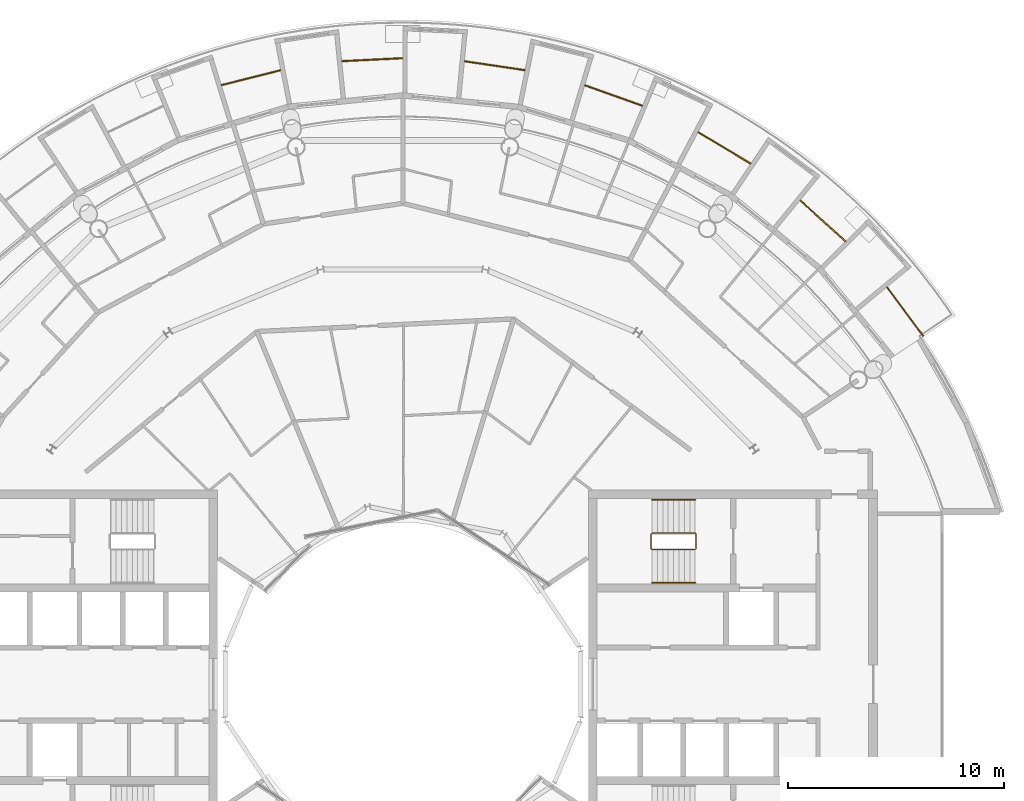
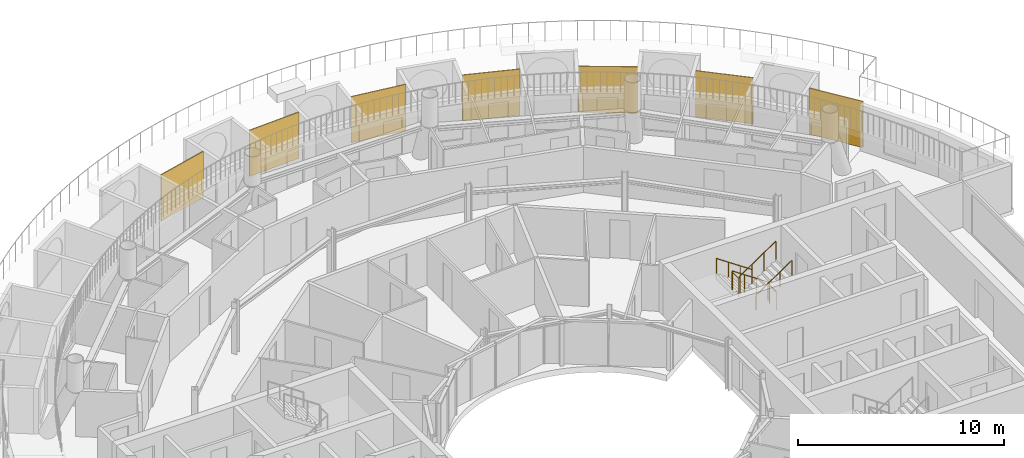
# One storey, part 29 of 29: 10 railings.
"""IFC4 building model written with IfcOpenShell, lengths in metres."""

from ifc_helpers import new_model, si_unit, direction, frame, origin, origin_2d, place, context, subcontext, project, spatial, polyline, circle, outline, extrude, material, layer, layer_set, type_object, element, save


model = new_model("IFC4")

# Units and contexts
model_context = context("Model", 3, precision=1e-05, world=origin(), true_north=direction((0.0, 1.0)))
body_context = subcontext(model_context, "Body", "Model", "MODEL_VIEW")
ifc_project = project(units=[si_unit("LENGTHUNIT", "METRE"), si_unit("AREAUNIT", "SQUARE_METRE"), si_unit("VOLUMEUNIT", "CUBIC_METRE"), si_unit("PLANEANGLEUNIT", "RADIAN"), si_unit("MASSUNIT", "GRAM", prefix="KILO")], contexts=[model_context])

# Site, building, storey
site_placement = place(None, origin())
site = spatial("IfcSite", under=ifc_project, at=site_placement, CompositionType="ELEMENT")
building_placement = place(site_placement, origin())
building = spatial("IfcBuilding", under=site, at=building_placement, Name="Maasbend Ring Residences", CompositionType="ELEMENT")
storey_placement = place(building_placement, frame((0.0, 0.0, 234.050048828125)))
storey = spatial("IfcBuildingStorey", under=building, at=storey_placement, Name="L67", CompositionType="ELEMENT", Elevation=234.050048828125)

# Railings
ifc_material_1 = material(Name="Pale anodised perforated aluminium", Category="aluminium")
ifc_layer = layer(ifc_material_1, 0.06005859375)
ifc_layer_set = layer_set([ifc_layer], Name="SCREEN-P")
railing_type_1 = type_object("IfcRailingType", Name="SCREEN-P", PredefinedType="GUARDRAIL", material=ifc_layer_set)
railing_1_placement = place(storey_placement, frame((0.0, 0.0, -0.030029296875)))
element("IfcRailing", 1, at=railing_1_placement, inside=storey, type_object=railing_type_1, Name="Perforated screen guard 1", PredefinedType="GUARDRAIL", context=body_context, shape_type="SweptSolid", body=[
    extrude(outline(polyline([(24.113037109375, 16.112060546875), (22.4169921875, 18.39697265625), (22.465087890625, 18.43310546875), (24.160888671875, 16.14697265625), (24.113037109375, 16.112060546875)])), origin(), (0.0, 0.0, 1.0), 2.72998046875),
])
railing_2_placement = place(storey_placement, frame((0.0, 0.0, -0.030029296875)))
element("IfcRailing", 2, at=railing_2_placement, inside=storey, type_object=railing_type_1, Name="Perforated screen guard 2", PredefinedType="GUARDRAIL", context=body_context, shape_type="SweptSolid", body=[
    extrude(outline(polyline([(20.506103515625, 20.506103515625), (18.39697265625, 22.4169921875), (18.43798828125, 22.4619140625), (20.5458984375, 20.551025390625), (20.506103515625, 20.506103515625)])), origin(), (0.0, 0.0, 1.0), 2.72998046875),
])
railing_3_placement = place(storey_placement, frame((0.0, 0.0, -0.030029296875)))
element("IfcRailing", 3, at=railing_3_placement, inside=storey, type_object=railing_type_1, Name="Perforated screen guard 3", PredefinedType="GUARDRAIL", context=body_context, shape_type="SweptSolid", body=[
    extrude(outline(polyline([(16.112060546875, 24.113037109375), (13.6708984375, 25.575927734375), (13.700927734375, 25.626953125), (16.14208984375, 24.1640625), (16.112060546875, 24.113037109375)])), origin(), (0.0, 0.0, 1.0), 2.72998046875),
])
railing_4_placement = place(storey_placement, frame((0.0, 0.0, -0.030029296875)))
element("IfcRailing", 4, at=railing_4_placement, inside=storey, type_object=railing_type_1, Name="Perforated screen guard 4", PredefinedType="GUARDRAIL", context=body_context, shape_type="SweptSolid", body=[
    extrude(outline(polyline([(11.097900390625, 26.79296875), (8.41796875, 27.7509765625), (8.43798828125, 27.80810546875), (11.117919921875, 26.84912109375), (11.097900390625, 26.79296875)])), origin(), (0.0, 0.0, 1.0), 2.72998046875),
])
railing_5_placement = place(storey_placement, frame((0.0, 0.0, -0.030029296875)))
element("IfcRailing", 5, at=railing_5_placement, inside=storey, type_object=railing_type_1, Name="Perforated screen guard 5", PredefinedType="GUARDRAIL", context=body_context, shape_type="SweptSolid", body=[
    extrude(outline(polyline([(5.657958984375, 28.443115234375), (2.842041015625, 28.860107421875), (2.85107421875, 28.919921875), (5.666015625, 28.501953125), (5.657958984375, 28.443115234375)])), origin(), (0.0, 0.0, 1.0), 2.72998046875),
])
railing_6_placement = place(storey_placement, frame((0.0, 0.0, -0.030029296875)))
element("IfcRailing", 6, at=railing_6_placement, inside=storey, type_object=railing_type_1, Name="Perforated screen guard 6", PredefinedType="GUARDRAIL", context=body_context, shape_type="SweptSolid", body=[
    extrude(outline(polyline([(0.0, 29.0), (-2.842041015625, 28.860107421875), (-2.844970703125, 28.919921875), (-0.0029296875, 29.06005859375), (0.0, 29.0)])), origin(), (0.0, 0.0, 1.0), 2.72998046875),
])
railing_7_placement = place(storey_placement, frame((0.0, 0.0, -0.030029296875)))
element("IfcRailing", 7, at=railing_7_placement, inside=storey, type_object=railing_type_1, Name="Perforated screen guard 7", PredefinedType="GUARDRAIL", context=body_context, shape_type="SweptSolid", body=[
    extrude(outline(polyline([(-5.657958984375, 28.443115234375), (-8.41796875, 27.7509765625), (-8.43310546875, 27.80908203125), (-5.672119140625, 28.5009765625), (-5.657958984375, 28.443115234375)])), origin(), (0.0, 0.0, 1.0), 2.72998046875),
])
ifc_material_2 = material(Name="Stainless steel 316", Category="steel")
railing_type_2 = type_object("IfcRailingType", Name="STAIR GUARD 1100", PredefinedType="GUARDRAIL", material=ifc_material_2)
railing_8_placement = place(storey_placement, frame((13.60009765625, 6.300048828125, 0.0)))
element("IfcRailing", 8, at=railing_8_placement, inside=storey, type_object=railing_type_2, Name="L67 ST-E1 stair guard 1", PredefinedType="GUARDRAIL", context=body_context, shape_type="SweptSolid", body=[
    extrude(circle(Radius=0.02392578125, at=origin_2d()), frame((0.0, 0.0, 1.076171875), z_axis=(0.0, 1.0, 0.0), x_axis=(-1.0, 0.0, 0.0)), (0.0, 0.0, 1.0), 0.64990234375),
    extrude(circle(Radius=0.02392578125, at=origin_2d()), frame((0.0, 0.64990234375, 1.076171875), z_axis=(-0.272562526181, 0.272562526181, 0.92272386912), x_axis=(-0.707106781187, -0.707106781187, 0.0)), (0.0, 0.0, 1.0), 0.18359375),
    extrude(circle(Radius=0.02392578125, at=origin_2d()), frame((-0.050048828125, 0.699951171875, 1.24560546875), z_axis=(-0.827797584762, 0.0, 0.561026878735), x_axis=(0.0, -1.0, 0.0)), (0.0, 0.0, 1.0), 2.416015625),
    extrude(circle(Radius=0.02392578125, at=origin_2d()), frame((-2.050048828125, 0.699951171875, 2.60107421875), z_axis=(-0.707106781187, -0.707106781187, 0.0), x_axis=(0.707106781187, -0.707106781187, 0.0)), (0.0, 0.0, 1.0), 0.07080078125),
    extrude(circle(Radius=0.02392578125, at=origin_2d()), frame((-2.10009765625, 0.64990234375, 2.60107421875), z_axis=(0.0, -1.0, 0.0), x_axis=(1.0, 0.0, 0.0)), (0.0, 0.0, 1.0), 0.64990234375),
    extrude(circle(Radius=0.02392578125, at=origin_2d()), frame((-2.10009765625, 0.0, 2.60107421875), z_axis=(0.272562526181, -0.272562526181, 0.92272386912), x_axis=(0.707106781187, 0.707106781187, 0.0)), (0.0, 0.0, 1.0), 0.18359375),
    extrude(circle(Radius=0.02392578125, at=origin_2d()), frame((-2.050048828125, -0.050048828125, 2.7705078125), z_axis=(0.827750655447, 0.0, 0.561096116906), x_axis=(0.0, 1.0, 0.0)), (0.0, 0.0, 1.0), 2.416259765625),
    extrude(circle(Radius=0.02099609375, at=origin_2d()), origin(), (0.0, 0.0, 1.0), 1.052001953125),
    extrude(circle(Radius=0.02099609375, at=origin_2d()), frame((0.0, 0.64990234375, 0.0)), (0.0, 0.0, 1.0), 1.052001953125),
    extrude(circle(Radius=0.02099609375, at=origin_2d()), frame((-0.050048828125, 0.699951171875, 0.16943359375)), (0.0, 0.0, 1.0), 1.052001953125),
    extrude(circle(Radius=0.02099609375, at=origin_2d()), frame((-0.716796875, 0.699951171875, 0.621337890625)), (0.0, 0.0, 1.0), 1.052001953125),
    extrude(circle(Radius=0.02099609375, at=origin_2d()), frame((-1.38330078125, 0.699951171875, 1.072998046875)), (0.0, 0.0, 1.0), 1.052001953125),
    extrude(circle(Radius=0.02099609375, at=origin_2d()), frame((-2.050048828125, 0.699951171875, 1.52490234375)), (0.0, 0.0, 1.0), 1.052001953125),
    extrude(circle(Radius=0.02099609375, at=origin_2d()), frame((-2.10009765625, 0.64990234375, 1.52490234375)), (0.0, 0.0, 1.0), 1.052001953125),
    extrude(circle(Radius=0.02099609375, at=origin_2d()), frame((-2.10009765625, 0.0, 1.52490234375)), (0.0, 0.0, 1.0), 1.052001953125),
    extrude(circle(Radius=0.02099609375, at=origin_2d()), frame((-2.050048828125, -0.050048828125, 1.6943359375)), (0.0, 0.0, 1.0), 1.052001953125),
    extrude(circle(Radius=0.02099609375, at=origin_2d()), frame((-1.38330078125, -0.050048828125, 2.146240234375)), (0.0, 0.0, 1.0), 1.052001953125),
    extrude(circle(Radius=0.02099609375, at=origin_2d()), frame((-0.716796875, -0.050048828125, 2.59814453125)), (0.0, 0.0, 1.0), 1.052001953125),
    extrude(circle(Radius=0.02099609375, at=origin_2d()), frame((-0.050048828125, -0.050048828125, 3.050048828125)), (0.0, 0.0, 1.0), 1.052001953125),
])
ifc_material_3 = material(Name="Stainless steel 316", Category="steel")
railing_type_3 = type_object("IfcRailingType", Name="STAIR HANDRAIL 900", PredefinedType="HANDRAIL", material=ifc_material_3)
railing_9_placement = place(storey_placement, frame((13.550048828125, 8.550048828125, 0.16943359375)))
element("IfcRailing", 9, at=railing_9_placement, inside=storey, type_object=railing_type_3, Name="L67 ST-E1 stair handrail 1", PredefinedType="HANDRAIL", context=body_context, shape_type="SweptSolid", body=[
    extrude(circle(Radius=0.02392578125, at=origin_2d()), frame((0.0, 0.0, 0.8759765625), z_axis=(-0.827797584762, 0.0, 0.561026878735), x_axis=(0.0, -1.0, 0.0)), (0.0, 0.0, 1.0), 2.416015625),
    extrude(circle(Radius=0.02099609375, at=origin_2d()), origin(), (0.0, 0.0, 1.0), 0.851806640625),
    extrude(circle(Radius=0.02099609375, at=origin_2d()), frame((-0.666748046875, 0.0, 0.451904296875)), (0.0, 0.0, 1.0), 0.851806640625),
    extrude(circle(Radius=0.02099609375, at=origin_2d()), frame((-1.333251953125, 0.0, 0.903564453125)), (0.0, 0.0, 1.0), 0.851806640625),
    extrude(circle(Radius=0.02099609375, at=origin_2d()), frame((-2.0, 0.0, 1.35546875)), (0.0, 0.0, 1.0), 0.851806640625),
])
railing_10_placement = place(storey_placement, frame((11.550048828125, 4.699951171875, 1.6943359375)))
element("IfcRailing", 10, at=railing_10_placement, inside=storey, type_object=railing_type_3, Name="L67 ST-E1 stair handrail 2", PredefinedType="HANDRAIL", context=body_context, shape_type="SweptSolid", body=[
    extrude(circle(Radius=0.02392578125, at=origin_2d()), frame((0.0, 0.0, 0.8759765625), z_axis=(0.827750655447, 0.0, 0.561096116906), x_axis=(0.0, 1.0, 0.0)), (0.0, 0.0, 1.0), 2.416259765625),
    extrude(circle(Radius=0.02099609375, at=origin_2d()), origin(), (0.0, 0.0, 1.0), 0.851806640625),
    extrude(circle(Radius=0.02099609375, at=origin_2d()), frame((0.666748046875, 0.0, 0.451904296875)), (0.0, 0.0, 1.0), 0.851806640625),
    extrude(circle(Radius=0.02099609375, at=origin_2d()), frame((1.333251953125, 0.0, 0.90380859375)), (0.0, 0.0, 1.0), 0.851806640625),
    extrude(circle(Radius=0.02099609375, at=origin_2d()), frame((2.0, 0.0, 1.355712890625)), (0.0, 0.0, 1.0), 0.851806640625),
])

save(model, "model.ifc")
